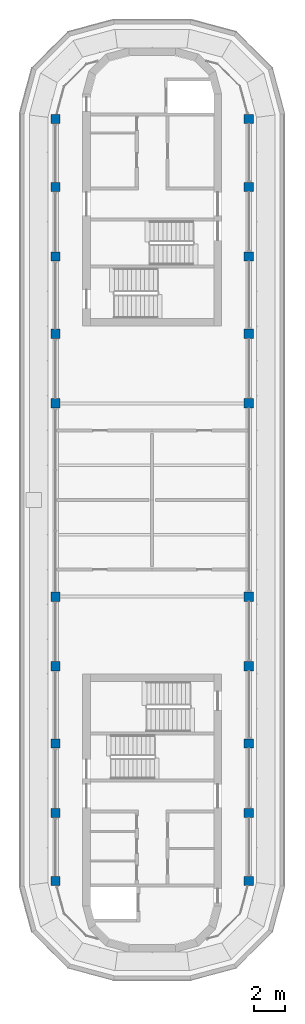
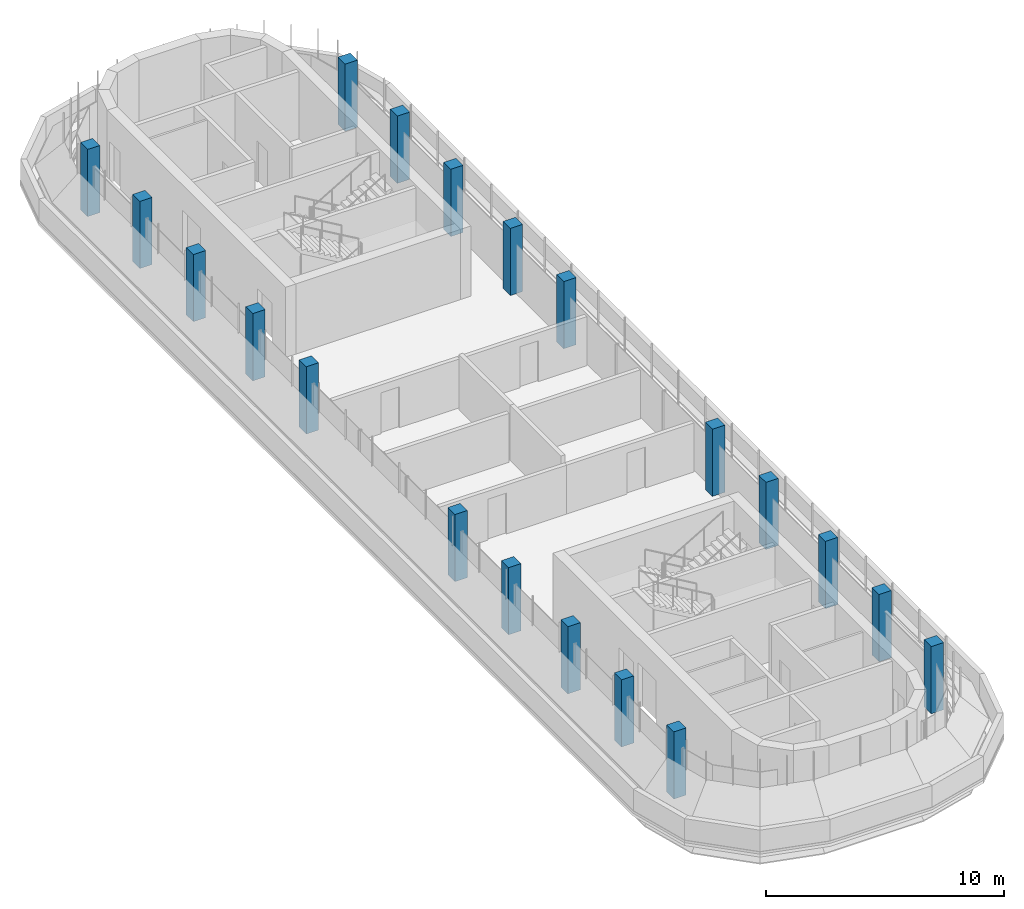
# One storey, part 1 of 12: 20 columns.
"""IFC4 building model written with IfcOpenShell, lengths in metres."""

from ifc_helpers import new_model, si_unit, direction, frame, origin, origin_2d, place, context, subcontext, project, spatial, rectangle, extrude, material, material_profile, profile_set, type_object, element, save


model = new_model("IFC4")

# Units and contexts
model_context = context("Model", 3, precision=1e-05, world=origin(), true_north=direction((0.0, 1.0)))
body_context = subcontext(model_context, "Body", "Model", "MODEL_VIEW")
ifc_project = project(units=[si_unit("LENGTHUNIT", "METRE"), si_unit("AREAUNIT", "SQUARE_METRE"), si_unit("VOLUMEUNIT", "CUBIC_METRE"), si_unit("PLANEANGLEUNIT", "RADIAN"), si_unit("MASSUNIT", "GRAM", prefix="KILO")], contexts=[model_context])

# Site, building, storey
site_placement = place(None, origin())
site = spatial("IfcSite", under=ifc_project, at=site_placement, CompositionType="ELEMENT")
building_placement = place(site_placement, origin())
building = spatial("IfcBuilding", under=site, at=building_placement, Name="Zarbagh Exchange Tower", CompositionType="ELEMENT")
storey_placement = place(building_placement, frame((0.0, 0.0, 309.60009765625)))
storey = spatial("IfcBuildingStorey", under=building, at=storey_placement, Name="L76", CompositionType="ELEMENT", Elevation=309.60009765625)

# Columns
ifc_material = material(Name="Concrete C40/50", Category="concrete")
ifc_material_profile = material_profile(ifc_material, rectangle(XDim=0.60009765625, YDim=0.60009765625, at=origin_2d()), Name="RC column 600 x 600 C40/50")
ifc_profile_set = profile_set([ifc_material_profile], Name="Concrete C40/50")
column_type = type_object("IfcColumnType", Name="RC column 600 x 600 C40/50", PredefinedType="COLUMN", material=ifc_profile_set)
for number, where, z_axis, x_axis, name in (
    (1, (-6.25, -24.64990234375, 0.0), (0.0, 0.0, 1.0), (1.0, 0.0, 0.0), "C6 16/M"),
    (2, (-6.25, -20.25, 0.0), (0.0, 0.0, 1.0), (1.0, 0.0, 0.0), "C6 16/N"),
    (3, (-6.25, -15.75, 0.0), (0.0, 0.0, 1.0), (1.0, 0.0, 0.0), "C6 16/P"),
    (4, (-6.25, -10.75, 0.0), (0.0, 0.0, 1.0), (1.0, 0.0, 0.0), "C6 16/Q"),
    (5, (-6.25, -6.25, 0.0), (0.0, 0.0, 1.0), (1.0, 0.0, 0.0), "C6 16/R"),
    (6, (-6.25, 6.25, 0.0), (0.0, 0.0, 1.0), (1.0, 0.0, 0.0), "C6 16/U"),
    (7, (-6.25, 10.75, 0.0), (0.0, 0.0, 1.0), (1.0, 0.0, 0.0), "C6 16/V"),
    (8, (-6.25, 15.75, 0.0), (0.0, 0.0, 1.0), (1.0, 0.0, 0.0), "C6 16/W"),
    (9, (-6.25, 20.25, 0.0), (0.0, 0.0, 1.0), (1.0, 0.0, 0.0), "C6 16/X"),
    (10, (-6.25, 24.64990234375, 0.0), (0.0, 0.0, 1.0), (1.0, 0.0, 0.0), "C6 16/Y"),
    (11, (6.25, -24.64990234375, 0.0), (0.0, 0.0, 1.0), (1.0, 0.0, 0.0), "C6 19/M"),
    (12, (6.25, -20.25, 0.0), (0.0, 0.0, 1.0), (1.0, 0.0, 0.0), "C6 19/N"),
    (13, (6.25, -15.75, 0.0), (0.0, 0.0, 1.0), (1.0, 0.0, 0.0), "C6 19/P"),
    (14, (6.25, -10.75, 0.0), (0.0, 0.0, 1.0), (1.0, 0.0, 0.0), "C6 19/Q"),
    (15, (6.25, -6.25, 0.0), (0.0, 0.0, 1.0), (1.0, 0.0, 0.0), "C6 19/R"),
    (16, (6.25, 6.25, 0.0), (0.0, 0.0, 1.0), (1.0, 0.0, 0.0), "C6 19/U"),
    (17, (6.25, 10.75, 0.0), (0.0, 0.0, 1.0), (1.0, 0.0, 0.0), "C6 19/V"),
    (18, (6.25, 15.75, 0.0), (0.0, 0.0, 1.0), (1.0, 0.0, 0.0), "C6 19/W"),
    (19, (6.25, 20.25, 0.0), (0.0, 0.0, 1.0), (1.0, 0.0, 0.0), "C6 19/X"),
    (20, (6.25, 24.64990234375, 0.0), (0.0, 0.0, 1.0), (1.0, 0.0, 0.0), "C6 19/Y"),
):
    element("IfcColumn", number, at=place(storey_placement, frame(where, z_axis=z_axis, x_axis=x_axis)), inside=storey, type_object=column_type, Name=name, PredefinedType="COLUMN", context=body_context, shape_type="SweptSolid", body=[
        extrude(rectangle(XDim=0.60009765625, YDim=0.60009765625, at=origin_2d()), origin(), (0.0, 0.0, 1.0), 3.449951171875),
    ])

save(model, "model.ifc")
